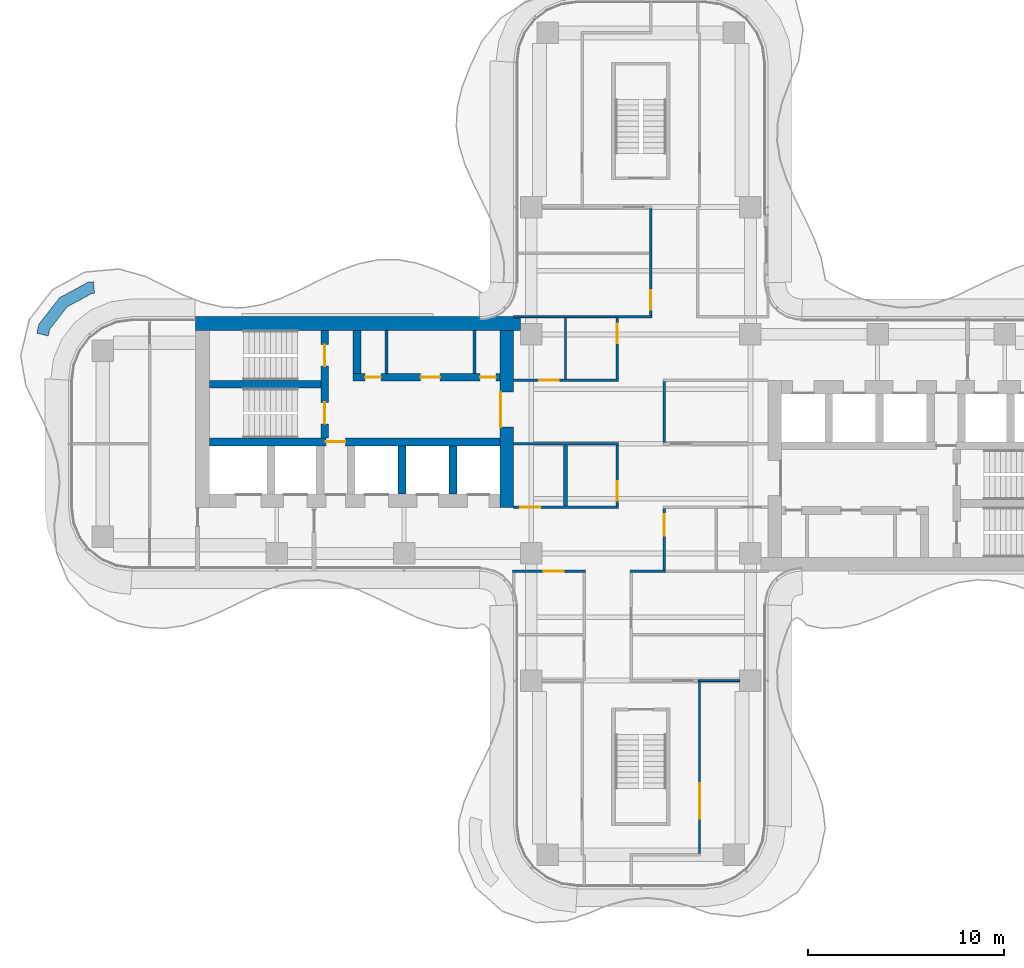
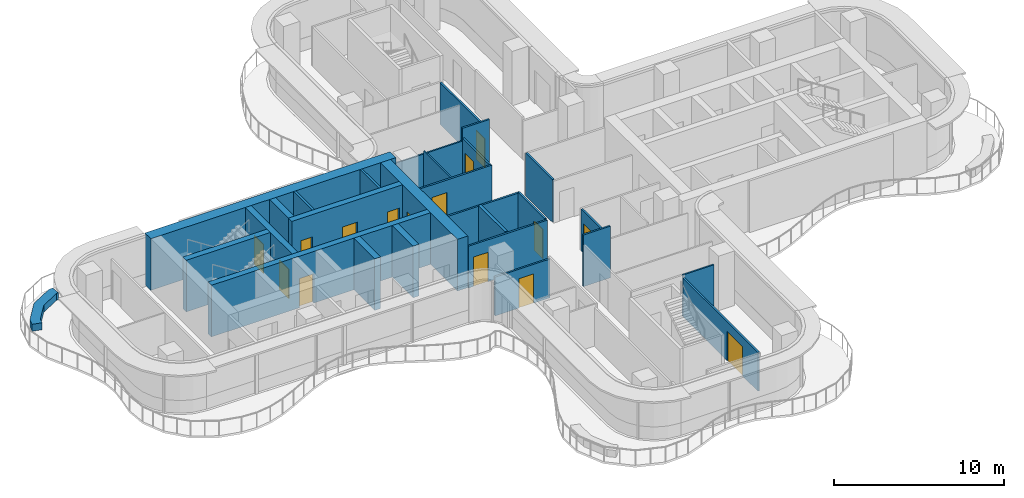
# One storey, part 12 of 16: 28 walls, 15 doors, 15 openings.
"""IFC4 building model written with IfcOpenShell, lengths in metres."""

from ifc_helpers import new_model, si_unit, direction, frame, frame_2d, origin, place, context, subcontext, project, spatial, polyline, rectangle, outline, extrude, source, transform, mapped, material, layer, layer_set, type_object, element, fill, save


model = new_model("IFC4")

# Units and contexts
model_context = context("Model", 3, precision=1e-05, world=origin(), true_north=direction((0.0, 1.0)))
body_context = subcontext(model_context, "Body", "Model", "MODEL_VIEW")
ifc_project = project(units=[si_unit("LENGTHUNIT", "METRE"), si_unit("AREAUNIT", "SQUARE_METRE"), si_unit("VOLUMEUNIT", "CUBIC_METRE"), si_unit("PLANEANGLEUNIT", "RADIAN"), si_unit("MASSUNIT", "GRAM", prefix="KILO")], contexts=[model_context])

# Site, building, storey
site_placement = place(None, origin())
site = spatial("IfcSite", under=ifc_project, at=site_placement, CompositionType="ELEMENT")
building_placement = place(site_placement, origin())
building = spatial("IfcBuilding", under=site, at=building_placement, Name="Trellis Farm Tower", CompositionType="ELEMENT")
storey_placement = place(building_placement, frame((0.0, 0.0, 263.60009765625)))
storey = spatial("IfcBuildingStorey", under=building, at=storey_placement, Name="L59", CompositionType="ELEMENT", Elevation=263.60009765625)

# Wall
ifc_material_1 = material(Name="Sandstone faced masonry planter", Category="masonry")
ifc_layer_1 = layer(ifc_material_1, 0.60009765625)
ifc_layer_set_1 = layer_set([ifc_layer_1], Name="PLANTER BED 600")
wall_type_1 = type_object("IfcWallType", Name="PLANTER BED 600", PredefinedType="USERDEFINED", material=ifc_layer_set_1)
wall_1_placement = place(storey_placement, origin())
element("IfcWall", 1, at=wall_1_placement, inside=storey, type_object=wall_type_1, Name="PLANTER bed", ObjectType="PLANTER", PredefinedType="USERDEFINED", context=body_context, shape_type="SweptSolid", body=[
    extrude(outline(polyline([(-30.7529296875, 6.1328125), (-29.701416015625, 7.475341796875), (-28.238525390625, 8.263427734375), (-27.97216796875, 8.287109375), (-27.9189453125, 7.689697265625), (-28.0625, 7.6767578125), (-29.306396484375, 7.006591796875), (-30.200439453125, 5.864990234375), (-30.2861328125, 5.5126953125), (-30.869140625, 5.654296875), (-30.7529296875, 6.1328125)])), origin(), (0.0, 0.0, 1.0), 0.5),
])

# Wall, opening, door
ifc_material_2 = material(Name="Concrete C60/75", Category="concrete")
ifc_layer_2 = layer(ifc_material_2, 0.699951171875)
ifc_layer_set_2 = layer_set([ifc_layer_2], Name="CORE OUTER WALL 700 CONCRETE C60/75")
wall_type_2 = type_object("IfcWallType", Name="CORE OUTER WALL 700 CONCRETE C60/75", PredefinedType="SHEAR", material=ifc_layer_set_2)
shared_shape_1 = source(origin(), body_context, "Body", "SweptSolid", [
    extrude(rectangle(XDim=9.050048828125, YDim=0.699951171875, at=frame_2d((4.52490234375, 0.0))), origin(), (0.0, 0.0, 1.0), 3.699951171875),
])
wall_2_placement = place(storey_placement, frame((-6.85009765625, 5.800048828125, 0.0), z_axis=(0.0, 0.0, 1.0), x_axis=(0.0, -1.0, 0.0)))
wall_2 = element("IfcWall", 2, at=wall_2_placement, inside=storey, type_object=wall_type_2, Name="Core wall", PredefinedType="SHEAR", context=body_context, shape_type="MappedRepresentation", body=[
    mapped(shared_shape_1, transform((0.0, 0.0, 0.0))),
])
shared_shape_2 = source(origin(), body_context, "Body", "SweptSolid", [
    extrude(rectangle(XDim=1.800048828125, YDim=2.10009765625, at=frame_2d((0.89990234375, 1.050048828125))), frame((0.0, 0.360107421875, 0.0), z_axis=(0.0, -1.0, 0.0), x_axis=(1.0, 0.0, 0.0)), (0.0, 0.0, 1.0), 0.72021484375),
])
opening_1_placement = place(wall_2_placement, frame((3.14990234375, 0.0, 0.0)))
opening_1 = element("IfcOpeningElement", 3, at=opening_1_placement, cuts=wall_2, Name="Opening DC87", PredefinedType="OPENING", context=body_context, shape_type="MappedRepresentation", body=[
    mapped(shared_shape_2, transform((0.0, 0.0, 0.0))),
])
ifc_material_3 = material(Name="Steel", Category="steel")
door_type_1 = type_object("IfcDoorType", Name="CORE FIRE DOOR DOUBLE 1800 X 2100", OperationType="DOUBLE_DOOR_SINGLE_SWING", PredefinedType="DOOR", material=ifc_material_3)
shared_shape_3 = source(origin(), body_context, "Body", "SweptSolid", [
    extrude(rectangle(XDim=1.800048828125, YDim=2.10009765625, at=frame_2d((0.89990234375, 1.050048828125))), frame((0.0, -0.27490234375, 0.0), z_axis=(0.0, -1.0, 0.0), x_axis=(1.0, 0.0, 0.0)), (0.0, 0.0, 1.0), 0.050048828125),
])
door_1_placement = place(opening_1_placement, origin())
door_1 = element("IfcDoor", 4, at=door_1_placement, inside=storey, type_object=door_type_1, Name="Core door", OperationType="DOUBLE_DOOR_SINGLE_SWING", OverallHeight=2.10009765625, OverallWidth=1.800048828125, PredefinedType="DOOR", context=body_context, shape_type="MappedRepresentation", body=[
    mapped(shared_shape_3, transform((0.0, 0.0, 0.0))),
])
fill(opening_1, door_1)

# Walls
ifc_layer_3 = layer(ifc_material_2, 0.39990234375)
ifc_layer_set_3 = layer_set([ifc_layer_3], Name="CORE INNER WALL 400 CONCRETE C60/75")
wall_type_3 = type_object("IfcWallType", Name="CORE INNER WALL 400 CONCRETE C60/75", PredefinedType="SHEAR", material=ifc_layer_set_3)
shared_shape_4 = source(origin(), body_context, "Body", "SweptSolid", [
    extrude(rectangle(XDim=2.449951171875, YDim=0.39990234375, at=frame_2d((1.22509765625, 0.0))), origin(), (0.0, 0.0, 1.0), 3.699951171875),
])
for number, where, z_axis, x_axis, name in (
    (5, (-9.60009765625, -0.10009765625, 0.0), (0.0, 0.0, 1.0), (0.0, -1.0, 0.0), "Core wall"),
    (6, (-12.199951171875, -0.10009765625, 0.0), (0.0, 0.0, 1.0), (0.0, -1.0, 0.0), "Core wall"),
):
    element("IfcWall", number, at=place(storey_placement, frame(where, z_axis=z_axis, x_axis=x_axis)), inside=storey, type_object=wall_type_3, Name=name, PredefinedType="SHEAR", context=body_context, shape_type="MappedRepresentation", body=[
        mapped(shared_shape_4, transform((0.0, 0.0, 0.0))),
    ])

# Wall, openings, doors
shared_shape_5 = source(origin(), body_context, "Body", "SweptSolid", [
    extrude(rectangle(XDim=7.5, YDim=0.39990234375, at=frame_2d((3.75, 0.0))), origin(), (0.0, 0.0, 1.0), 3.699951171875),
])
wall_3_placement = place(storey_placement, frame((-7.199951171875, 3.39990234375, 0.0), z_axis=(0.0, 0.0, 1.0), x_axis=(-1.0, 0.0, 0.0)))
wall_3 = element("IfcWall", 7, at=wall_3_placement, inside=storey, type_object=wall_type_3, Name="Core wall", PredefinedType="SHEAR", context=body_context, shape_type="MappedRepresentation", body=[
    mapped(shared_shape_5, transform((0.0, 0.0, 0.0))),
])
shared_shape_6 = source(origin(), body_context, "Body", "SweptSolid", [
    extrude(rectangle(XDim=0.800048828125, YDim=2.10009765625, at=frame_2d((0.39990234375, 1.050048828125))), frame((0.0, 0.2099609375, 0.0), z_axis=(0.0, -1.0, 0.0), x_axis=(1.0, 0.0, 0.0)), (0.0, 0.0, 1.0), 0.419921875),
])
opening_2_placement = place(wall_3_placement, frame((0.21240234375, 0.0, 0.0)))
opening_2 = element("IfcOpeningElement", 8, at=opening_2_placement, cuts=wall_3, Name="Opening DC137", PredefinedType="OPENING", context=body_context, shape_type="MappedRepresentation", body=[
    mapped(shared_shape_6, transform((0.0, 0.0, 0.0))),
])
shared_shape_7 = source(origin(), body_context, "Body", "SweptSolid", [
    extrude(rectangle(XDim=1.0, YDim=2.10009765625, at=frame_2d((0.5, 1.050048828125))), frame((0.0, 0.2099609375, 0.0), z_axis=(0.0, -1.0, 0.0), x_axis=(1.0, 0.0, 0.0)), (0.0, 0.0, 1.0), 0.419921875),
])
opening_3_placement = place(wall_3_placement, frame((3.050048828125, 0.0, 0.0)))
opening_3 = element("IfcOpeningElement", 9, at=opening_3_placement, cuts=wall_3, Name="Opening DC148", PredefinedType="OPENING", context=body_context, shape_type="MappedRepresentation", body=[
    mapped(shared_shape_7, transform((0.0, 0.0, 0.0))),
])
opening_4_placement = place(wall_3_placement, frame((6.08740234375, 0.0, 0.0)))
opening_4 = element("IfcOpeningElement", 10, at=opening_4_placement, cuts=wall_3, Name="Opening DC149", PredefinedType="OPENING", context=body_context, shape_type="MappedRepresentation", body=[
    mapped(shared_shape_6, transform((0.0, 0.0, 0.0))),
])
door_type_2 = type_object("IfcDoorType", Name="CORE FIRE DOOR 1000 X 2100", OperationType="NOTDEFINED", PredefinedType="DOOR", material=ifc_material_3)
shared_shape_8 = source(origin(), body_context, "Body", "SweptSolid", [
    extrude(rectangle(XDim=1.0, YDim=2.10009765625, at=frame_2d((0.5, 1.050048828125))), frame((0.0, 0.02490234375, 0.0), z_axis=(0.0, -1.0, 0.0), x_axis=(1.0, 0.0, 0.0)), (0.0, 0.0, 1.0), 0.050048828125),
])
door_2_placement = place(opening_3_placement, origin())
door_2 = element("IfcDoor", 11, at=door_2_placement, inside=storey, type_object=door_type_2, Name="Core door", OperationType="SINGLE_SWING_RIGHT", OverallHeight=2.10009765625, OverallWidth=1.0, PredefinedType="DOOR", context=body_context, shape_type="MappedRepresentation", body=[
    mapped(shared_shape_8, transform((0.0, 0.0, 0.0))),
])
fill(opening_3, door_2)
door_type_3 = type_object("IfcDoorType", Name="CORE FIRE DOOR 800 X 2100", OperationType="NOTDEFINED", PredefinedType="DOOR", material=ifc_material_3)
shared_shape_9 = source(origin(), body_context, "Body", "SweptSolid", [
    extrude(rectangle(XDim=0.800048828125, YDim=2.10009765625, at=frame_2d((0.39990234375, 1.050048828125))), frame((0.0, 0.02490234375, 0.0), z_axis=(0.0, -1.0, 0.0), x_axis=(1.0, 0.0, 0.0)), (0.0, 0.0, 1.0), 0.050048828125),
])
door_3_placement = place(opening_2_placement, origin())
door_3 = element("IfcDoor", 12, at=door_3_placement, inside=storey, type_object=door_type_3, Name="Core door", OperationType="SINGLE_SWING_LEFT", OverallHeight=2.10009765625, OverallWidth=0.800048828125, PredefinedType="DOOR", context=body_context, shape_type="MappedRepresentation", body=[
    mapped(shared_shape_9, transform((0.0, 0.0, 0.0))),
])
fill(opening_2, door_3)
door_4_placement = place(opening_4_placement, origin())
door_4 = element("IfcDoor", 13, at=door_4_placement, inside=storey, type_object=door_type_3, Name="Core door", OperationType="SINGLE_SWING_LEFT", OverallHeight=2.10009765625, OverallWidth=0.800048828125, PredefinedType="DOOR", context=body_context, shape_type="MappedRepresentation", body=[
    mapped(shared_shape_9, transform((0.0, 0.0, 0.0))),
])
fill(opening_4, door_4)

# Wall, opening, door
shared_shape_10 = source(origin(), body_context, "Body", "SweptSolid", [
    extrude(rectangle(XDim=14.85009765625, YDim=0.39990234375, at=frame_2d((7.425048828125, 0.0))), origin(), (0.0, 0.0, 1.0), 3.699951171875),
])
wall_4_placement = place(storey_placement, frame((-7.199951171875, 0.10009765625, 0.0), z_axis=(0.0, 0.0, 1.0), x_axis=(-1.0, 0.0, 0.0)))
wall_4 = element("IfcWall", 14, at=wall_4_placement, inside=storey, type_object=wall_type_3, Name="Core wall", PredefinedType="SHEAR", context=body_context, shape_type="MappedRepresentation", body=[
    mapped(shared_shape_10, transform((0.0, 0.0, 0.0))),
])
opening_5_placement = place(wall_4_placement, frame((7.89990234375, 0.0, 0.0)))
opening_5 = element("IfcOpeningElement", 15, at=opening_5_placement, cuts=wall_4, Name="Opening DC91", PredefinedType="OPENING", context=body_context, shape_type="MappedRepresentation", body=[
    mapped(shared_shape_7, transform((0.0, 0.0, 0.0))),
])
door_5_placement = place(opening_5_placement, origin())
door_5 = element("IfcDoor", 16, at=door_5_placement, inside=storey, type_object=door_type_2, Name="Core door", OperationType="SINGLE_SWING_RIGHT", OverallHeight=2.10009765625, OverallWidth=1.0, PredefinedType="DOOR", context=body_context, shape_type="MappedRepresentation", body=[
    mapped(shared_shape_8, transform((0.0, 0.0, 0.0))),
])
fill(opening_5, door_5)

# Wall, openings, doors
shared_shape_11 = source(origin(), body_context, "Body", "SweptSolid", [
    extrude(rectangle(XDim=5.5, YDim=0.39990234375, at=frame_2d((2.75, 0.0))), origin(), (0.0, 0.0, 1.0), 3.699951171875),
])
wall_5_placement = place(storey_placement, frame((-16.14990234375, 5.800048828125, 0.0), z_axis=(0.0, 0.0, 1.0), x_axis=(0.0, -1.0, 0.0)))
wall_5 = element("IfcWall", 17, at=wall_5_placement, inside=storey, type_object=wall_type_3, Name="Core wall", PredefinedType="SHEAR", context=body_context, shape_type="MappedRepresentation", body=[
    mapped(shared_shape_11, transform((0.0, 0.0, 0.0))),
])
shared_shape_12 = source(origin(), body_context, "Body", "SweptSolid", [
    extrude(rectangle(XDim=1.10009765625, YDim=2.10009765625, at=frame_2d((0.550048828125, 1.050048828125))), frame((0.0, 0.2099609375, 0.0), z_axis=(0.0, -1.0, 0.0), x_axis=(1.0, 0.0, 0.0)), (0.0, 0.0, 1.0), 0.419921875),
])
opening_6_placement = place(wall_5_placement, frame((0.72509765625, 0.0, 0.0)))
opening_6 = element("IfcOpeningElement", 18, at=opening_6_placement, cuts=wall_5, Name="Opening DC88", PredefinedType="OPENING", context=body_context, shape_type="MappedRepresentation", body=[
    mapped(shared_shape_12, transform((0.0, 0.0, 0.0))),
])
opening_7_placement = place(wall_5_placement, frame((3.675048828125, 0.0, 0.0)))
opening_7 = element("IfcOpeningElement", 19, at=opening_7_placement, cuts=wall_5, Name="Opening DC89", PredefinedType="OPENING", context=body_context, shape_type="MappedRepresentation", body=[
    mapped(shared_shape_12, transform((0.0, 0.0, 0.0))),
])
door_type_4 = type_object("IfcDoorType", Name="CORE FIRE DOOR 1100 X 2100", OperationType="NOTDEFINED", PredefinedType="DOOR", material=ifc_material_3)
shared_shape_13 = source(origin(), body_context, "Body", "SweptSolid", [
    extrude(rectangle(XDim=1.10009765625, YDim=2.10009765625, at=frame_2d((0.550048828125, 1.050048828125))), frame((0.0, 0.02490234375, 0.0), z_axis=(0.0, -1.0, 0.0), x_axis=(1.0, 0.0, 0.0)), (0.0, 0.0, 1.0), 0.050048828125),
])
door_6_placement = place(opening_6_placement, origin())
door_6 = element("IfcDoor", 20, at=door_6_placement, inside=storey, type_object=door_type_4, Name="Core door", OperationType="SINGLE_SWING_RIGHT", OverallHeight=2.10009765625, OverallWidth=1.10009765625, PredefinedType="DOOR", context=body_context, shape_type="MappedRepresentation", body=[
    mapped(shared_shape_13, transform((0.0, 0.0, 0.0))),
])
fill(opening_6, door_6)
door_7_placement = place(opening_7_placement, origin())
door_7 = element("IfcDoor", 21, at=door_7_placement, inside=storey, type_object=door_type_4, Name="Core door", OperationType="SINGLE_SWING_LEFT", OverallHeight=2.10009765625, OverallWidth=1.10009765625, PredefinedType="DOOR", context=body_context, shape_type="MappedRepresentation", body=[
    mapped(shared_shape_13, transform((0.0, 0.0, 0.0))),
])
fill(opening_7, door_7)

# Walls
shared_shape_14 = source(origin(), body_context, "Body", "SweptSolid", [
    extrude(rectangle(XDim=5.699951171875, YDim=0.39990234375, at=frame_2d((2.85009765625, 0.0))), origin(), (0.0, 0.0, 1.0), 3.699951171875),
])
wall_6_placement = place(storey_placement, frame((-16.35009765625, 3.050048828125, 0.0), z_axis=(0.0, 0.0, 1.0), x_axis=(-1.0, 0.0, 0.0)))
element("IfcWall", 22, at=wall_6_placement, inside=storey, type_object=wall_type_3, Name="Core wall", PredefinedType="SHEAR", context=body_context, shape_type="MappedRepresentation", body=[
    mapped(shared_shape_14, transform((0.0, 0.0, 0.0))),
])
shared_shape_15 = source(origin(), body_context, "Body", "SweptSolid", [
    extrude(rectangle(XDim=2.199951171875, YDim=0.39990234375, at=frame_2d((1.10009765625, 0.0))), origin(), (0.0, 0.0, 1.0), 3.699951171875),
])
wall_7_placement = place(storey_placement, frame((-14.5, 5.800048828125, 0.0), z_axis=(0.0, 0.0, 1.0), x_axis=(0.0, -1.0, 0.0)))
element("IfcWall", 23, at=wall_7_placement, inside=storey, type_object=wall_type_3, Name="Core wall", PredefinedType="SHEAR", context=body_context, shape_type="MappedRepresentation", body=[
    mapped(shared_shape_15, transform((0.0, 0.0, 0.0))),
])
ifc_material_4 = material(Name="Masonry blockwork", Category="masonry")
ifc_layer_4 = layer(ifc_material_4, 0.14990234375)
ifc_layer_set_4 = layer_set([ifc_layer_4], Name="CORE PARTITION 150 BLOCKWORK")
wall_type_4 = type_object("IfcWallType", Name="CORE PARTITION 150 BLOCKWORK", PredefinedType="PARTITIONING", material=ifc_layer_set_4)
shared_shape_16 = source(origin(), body_context, "Body", "SweptSolid", [
    extrude(rectangle(XDim=2.199951171875, YDim=0.14990234375, at=frame_2d((1.10009765625, 0.0))), origin(), (0.0, 0.0, 1.0), 3.699951171875),
])
for number, where, z_axis, x_axis, name in (
    (24, (-8.5, 5.800048828125, 0.0), (0.0, 0.0, 1.0), (0.0, -1.0, 0.0), "Core room partition"),
    (25, (-13.0, 5.800048828125, 0.0), (0.0, 0.0, 1.0), (0.0, -1.0, 0.0), "Core room partition"),
):
    element("IfcWall", number, at=place(storey_placement, frame(where, z_axis=z_axis, x_axis=x_axis)), inside=storey, type_object=wall_type_4, Name=name, PredefinedType="PARTITIONING", context=body_context, shape_type="MappedRepresentation", body=[
        mapped(shared_shape_16, transform((0.0, 0.0, 0.0))),
    ])
shared_shape_17 = source(origin(), body_context, "Body", "SweptSolid", [
    extrude(rectangle(XDim=16.60009765625, YDim=0.699951171875, at=frame_2d((8.300048828125, 0.0))), origin(), (0.0, 0.0, 1.0), 3.699951171875),
])
wall_8_placement = place(storey_placement, frame((-6.14990234375, 6.14990234375, 0.0), z_axis=(0.0, 0.0, 1.0), x_axis=(-1.0, 0.0, 0.0)))
element("IfcWall", 26, at=wall_8_placement, inside=storey, type_object=wall_type_2, Name="Core wall", PredefinedType="SHEAR", context=body_context, shape_type="MappedRepresentation", body=[
    mapped(shared_shape_17, transform((0.0, 0.0, 0.0))),
])

# Wall, opening, door
ifc_material_5 = material(Name="Plasterboard on steel studs, mineral wool", Category="steel")
ifc_layer_5 = layer(ifc_material_5, 0.125)
ifc_layer_set_5 = layer_set([ifc_layer_5], Name="PARTITION 125 STUD EI 60")
wall_type_5 = type_object("IfcWallType", Name="PARTITION 125 STUD EI 60", PredefinedType="PARTITIONING", material=ifc_layer_set_5)
shared_shape_18 = source(origin(), body_context, "Body", "SweptSolid", [
    extrude(rectangle(XDim=5.47509765625, YDim=0.125, at=frame_2d((2.737548828125, 0.0))), origin(), (0.0, 0.0, 1.0), 2.99658203125),
])
wall_9_placement = place(storey_placement, frame((0.5, 12.03759765625, 0.0), z_axis=(0.0, 0.0, 1.0), x_axis=(0.0, -1.0, 0.0)))
wall_9 = element("IfcWall", 27, at=wall_9_placement, inside=storey, type_object=wall_type_5, Name="Partition PW1", PredefinedType="PARTITIONING", context=body_context, shape_type="MappedRepresentation", body=[
    mapped(shared_shape_18, transform((0.0, 0.0, 0.0))),
])
shared_shape_19 = source(origin(), body_context, "Body", "SweptSolid", [
    extrude(rectangle(XDim=1.0, YDim=2.10009765625, at=frame_2d((0.5, 1.050048828125))), frame((0.0, 0.072509765625, 0.0), z_axis=(0.0, -1.0, 0.0), x_axis=(1.0, 0.0, 0.0)), (0.0, 0.0, 1.0), 0.14501953125),
])
opening_8_placement = place(wall_9_placement, frame((4.1875, 0.0, 0.0)))
opening_8 = element("IfcOpeningElement", 28, at=opening_8_placement, cuts=wall_9, Name="Opening D113", PredefinedType="OPENING", context=body_context, shape_type="MappedRepresentation", body=[
    mapped(shared_shape_19, transform((0.0, 0.0, 0.0))),
])
ifc_material_6 = material(Name="Fire-rated timber door leaf in a hollow metal frame", Category="wood")
door_type_5 = type_object("IfcDoorType", Name="DOOR 1000x2100 FD30S", OperationType="NOTDEFINED", PredefinedType="DOOR", material=ifc_material_6)
door_8_placement = place(opening_8_placement, origin())
door_8 = element("IfcDoor", 29, at=door_8_placement, inside=storey, type_object=door_type_5, Name="Door D113", OperationType="SINGLE_SWING_RIGHT", OverallHeight=2.10009765625, OverallWidth=1.0, PredefinedType="DOOR", context=body_context, shape_type="MappedRepresentation", body=[
    mapped(shared_shape_8, transform((0.0, 0.0, 0.0))),
])
fill(opening_8, door_8)

shared_shape_20 = source(origin(), body_context, "Body", "SweptSolid", [
    extrude(rectangle(XDim=3.137451171875, YDim=0.125, at=frame_2d((1.56884765625, 0.0))), origin(), (0.0, 0.0, 1.0), 2.99658203125),
])
wall_10_placement = place(storey_placement, frame((-1.199951171875, 6.449951171875, 0.0), z_axis=(0.0, 0.0, 1.0), x_axis=(0.0, -1.0, 0.0)))
wall_10 = element("IfcWall", 30, at=wall_10_placement, inside=storey, type_object=wall_type_5, Name="Partition PW1", PredefinedType="PARTITIONING", context=body_context, shape_type="MappedRepresentation", body=[
    mapped(shared_shape_20, transform((0.0, 0.0, 0.0))),
])
opening_9_placement = place(wall_10_placement, frame((0.300048828125, 0.0, 0.0)))
opening_9 = element("IfcOpeningElement", 31, at=opening_9_placement, cuts=wall_10, Name="Opening D112", PredefinedType="OPENING", context=body_context, shape_type="MappedRepresentation", body=[
    mapped(shared_shape_19, transform((0.0, 0.0, 0.0))),
])
door_9_placement = place(opening_9_placement, origin())
door_9 = element("IfcDoor", 32, at=door_9_placement, inside=storey, type_object=door_type_5, Name="Door D112", OperationType="SINGLE_SWING_LEFT", OverallHeight=2.10009765625, OverallWidth=1.0, PredefinedType="DOOR", context=body_context, shape_type="MappedRepresentation", body=[
    mapped(shared_shape_8, transform((0.0, 0.0, 0.0))),
])
fill(opening_9, door_9)

wall_11_placement = place(storey_placement, frame((1.199951171875, -3.3125, 0.0), z_axis=(0.0, 0.0, 1.0), x_axis=(0.0, -1.0, 0.0)))
wall_11 = element("IfcWall", 33, at=wall_11_placement, inside=storey, type_object=wall_type_5, Name="Partition PW1", PredefinedType="PARTITIONING", context=body_context, shape_type="MappedRepresentation", body=[
    mapped(shared_shape_20, transform((0.0, 0.0, 0.0))),
])
shared_shape_21 = source(origin(), body_context, "Body", "SweptSolid", [
    extrude(rectangle(XDim=1.10009765625, YDim=2.10009765625, at=frame_2d((0.550048828125, 1.050048828125))), frame((0.0, 0.072509765625, 0.0), z_axis=(0.0, -1.0, 0.0), x_axis=(1.0, 0.0, 0.0)), (0.0, 0.0, 1.0), 0.14501953125),
])
opening_10_placement = place(wall_11_placement, frame((0.28759765625, 0.0, 0.0)))
opening_10 = element("IfcOpeningElement", 34, at=opening_10_placement, cuts=wall_11, Name="Opening D501", PredefinedType="OPENING", context=body_context, shape_type="MappedRepresentation", body=[
    mapped(shared_shape_21, transform((0.0, 0.0, 0.0))),
])
door_type_6 = type_object("IfcDoorType", Name="DOOR 1100x2100 FD30S", OperationType="NOTDEFINED", PredefinedType="DOOR", material=ifc_material_6)
door_10_placement = place(opening_10_placement, origin())
door_10 = element("IfcDoor", 35, at=door_10_placement, inside=storey, type_object=door_type_6, Name="Door D501", OperationType="SINGLE_SWING_LEFT", OverallHeight=2.10009765625, OverallWidth=1.10009765625, PredefinedType="DOOR", context=body_context, shape_type="MappedRepresentation", body=[
    mapped(shared_shape_13, transform((0.0, 0.0, 0.0))),
])
fill(opening_10, door_10)

shared_shape_22 = source(origin(), body_context, "Body", "SweptSolid", [
    extrude(rectangle(XDim=5.362548828125, YDim=0.125, at=frame_2d((2.68115234375, 0.0))), origin(), (0.0, 0.0, 1.0), 2.99658203125),
])
wall_12_placement = place(storey_placement, frame((-1.137451171875, -3.25, 0.0), z_axis=(0.0, 0.0, 1.0), x_axis=(-1.0, 0.0, 0.0)))
wall_12 = element("IfcWall", 36, at=wall_12_placement, inside=storey, type_object=wall_type_5, Name="Partition PW1", PredefinedType="PARTITIONING", context=body_context, shape_type="MappedRepresentation", body=[
    mapped(shared_shape_22, transform((0.0, 0.0, 0.0))),
])
opening_11_placement = place(wall_12_placement, frame((4.012451171875, 0.0, 0.0)))
opening_11 = element("IfcOpeningElement", 37, at=opening_11_placement, cuts=wall_12, Name="Opening D106", PredefinedType="OPENING", context=body_context, shape_type="MappedRepresentation", body=[
    mapped(shared_shape_19, transform((0.0, 0.0, 0.0))),
])
door_11_placement = place(opening_11_placement, origin())
door_11 = element("IfcDoor", 38, at=door_11_placement, inside=storey, type_object=door_type_5, Name="Door D106", OperationType="SINGLE_SWING_RIGHT", OverallHeight=2.10009765625, OverallWidth=1.0, PredefinedType="DOOR", context=body_context, shape_type="MappedRepresentation", body=[
    mapped(shared_shape_8, transform((0.0, 0.0, 0.0))),
])
fill(opening_11, door_11)

# Wall
wall_13_placement = place(storey_placement, frame((-1.137451171875, 0.0, 0.0), z_axis=(0.0, 0.0, 1.0), x_axis=(-1.0, 0.0, 0.0)))
element("IfcWall", 39, at=wall_13_placement, inside=storey, type_object=wall_type_5, Name="Partition PW1", PredefinedType="PARTITIONING", context=body_context, shape_type="MappedRepresentation", body=[
    mapped(shared_shape_22, transform((0.0, 0.0, 0.0))),
])

# Wall, opening, door
wall_14_placement = place(storey_placement, frame((-6.5, 3.25, 0.0), z_axis=(0.0, 0.0, 1.0), x_axis=(1.0, 0.0, 0.0)))
wall_14 = element("IfcWall", 40, at=wall_14_placement, inside=storey, type_object=wall_type_5, Name="Partition PW1", PredefinedType="PARTITIONING", context=body_context, shape_type="MappedRepresentation", body=[
    mapped(shared_shape_22, transform((0.0, 0.0, 0.0))),
])
opening_12_placement = place(wall_14_placement, frame((1.300048828125, 0.0, 0.0)))
opening_12 = element("IfcOpeningElement", 41, at=opening_12_placement, cuts=wall_14, Name="Opening D110", PredefinedType="OPENING", context=body_context, shape_type="MappedRepresentation", body=[
    mapped(shared_shape_19, transform((0.0, 0.0, 0.0))),
])
door_12_placement = place(opening_12_placement, origin())
door_12 = element("IfcDoor", 42, at=door_12_placement, inside=storey, type_object=door_type_5, Name="Door D110", OperationType="SINGLE_SWING_RIGHT", OverallHeight=2.10009765625, OverallWidth=1.0, PredefinedType="DOOR", context=body_context, shape_type="MappedRepresentation", body=[
    mapped(shared_shape_8, transform((0.0, 0.0, 0.0))),
])
fill(opening_12, door_12)

# Walls
shared_shape_23 = source(origin(), body_context, "Body", "SweptSolid", [
    extrude(rectangle(XDim=1.824951171875, YDim=0.125, at=frame_2d((0.91259765625, 0.0))), origin(), (0.0, 0.0, 1.0), 3.699951171875),
])
for number, where, z_axis, x_axis, name in (
    (43, (1.262451171875, -6.5, 0.0), (0.0, 0.0, 1.0), (-1.0, 0.0, 0.0), "Partition PW1"),
    (44, (-1.262451171875, 6.5, 0.0), (0.0, 0.0, 1.0), (1.0, 0.0, 0.0), "Partition PW1"),
):
    element("IfcWall", number, at=place(storey_placement, frame(where, z_axis=z_axis, x_axis=x_axis)), inside=storey, type_object=wall_type_5, Name=name, PredefinedType="PARTITIONING", context=body_context, shape_type="MappedRepresentation", body=[
        mapped(shared_shape_23, transform((0.0, 0.0, 0.0))),
    ])

# Wall, opening, door
shared_shape_24 = source(origin(), body_context, "Body", "SweptSolid", [
    extrude(rectangle(XDim=3.125, YDim=0.125, at=frame_2d((1.5625, 0.0))), origin(), (0.0, 0.0, 1.0), 3.067626953125),
])
wall_15_placement = place(storey_placement, frame((-1.199951171875, -0.0625, 0.0), z_axis=(0.0, 0.0, 1.0), x_axis=(0.0, -1.0, 0.0)))
wall_15 = element("IfcWall", 45, at=wall_15_placement, inside=storey, type_object=wall_type_5, Name="Partition PW1", PredefinedType="PARTITIONING", context=body_context, shape_type="MappedRepresentation", body=[
    mapped(shared_shape_24, transform((0.0, 0.0, 0.0))),
])
opening_13_placement = place(wall_15_placement, frame((1.83740234375, 0.0, 0.0)))
opening_13 = element("IfcOpeningElement", 46, at=opening_13_placement, cuts=wall_15, Name="Opening D301", PredefinedType="OPENING", context=body_context, shape_type="MappedRepresentation", body=[
    mapped(shared_shape_19, transform((0.0, 0.0, 0.0))),
])
door_type_7 = type_object("IfcDoorType", Name="DOOR 1000x2100 FD60", OperationType="NOTDEFINED", PredefinedType="DOOR", material=ifc_material_6)
door_13_placement = place(opening_13_placement, origin())
door_13 = element("IfcDoor", 47, at=door_13_placement, inside=storey, type_object=door_type_7, Name="Door D301", OperationType="SINGLE_SWING_RIGHT", OverallHeight=2.10009765625, OverallWidth=1.0, PredefinedType="DOOR", context=body_context, shape_type="MappedRepresentation", body=[
    mapped(shared_shape_8, transform((0.0, 0.0, 0.0))),
])
fill(opening_13, door_13)

# Walls
wall_16_placement = place(storey_placement, frame((1.199951171875, 3.1875, 0.0), z_axis=(0.0, 0.0, 1.0), x_axis=(0.0, -1.0, 0.0)))
element("IfcWall", 48, at=wall_16_placement, inside=storey, type_object=wall_type_5, Name="Partition PW1", PredefinedType="PARTITIONING", context=body_context, shape_type="MappedRepresentation", body=[
    mapped(shared_shape_24, transform((0.0, 0.0, 0.0))),
])
ifc_material_7 = material(Name="Plasterboard on steel studs", Category="steel")
ifc_layer_6 = layer(ifc_material_7, 0.10009765625)
ifc_layer_set_6 = layer_set([ifc_layer_6], Name="PARTITION 100 STUD EI 30")
wall_type_6 = type_object("IfcWallType", Name="PARTITION 100 STUD EI 30", PredefinedType="PARTITIONING", material=ifc_layer_set_6)
shared_shape_25 = source(origin(), body_context, "Body", "SweptSolid", [
    extrude(rectangle(XDim=3.137451171875, YDim=0.10009765625, at=frame_2d((1.56884765625, 0.0))), origin(), (0.0, 0.0, 1.0), 2.99658203125),
])
wall_17_placement = place(storey_placement, frame((-3.85009765625, 3.3125, 0.0), z_axis=(0.0, 0.0, 1.0), x_axis=(0.0, 1.0, 0.0)))
element("IfcWall", 49, at=wall_17_placement, inside=storey, type_object=wall_type_6, Name="Partition PW2", PredefinedType="PARTITIONING", context=body_context, shape_type="MappedRepresentation", body=[
    mapped(shared_shape_25, transform((0.0, 0.0, 0.0))),
])
shared_shape_26 = source(origin(), body_context, "Body", "SweptSolid", [
    extrude(rectangle(XDim=2.112548828125, YDim=0.10009765625, at=frame_2d((1.05615234375, 0.0))), origin(), (0.0, 0.0, 1.0), 2.99658203125),
])
wall_18_placement = place(storey_placement, frame((2.9375, -12.10009765625, 0.0), z_axis=(0.0, 0.0, 1.0), x_axis=(1.0, 0.0, 0.0)))
element("IfcWall", 50, at=wall_18_placement, inside=storey, type_object=wall_type_6, Name="Partition PW2", PredefinedType="PARTITIONING", context=body_context, shape_type="MappedRepresentation", body=[
    mapped(shared_shape_26, transform((0.0, 0.0, 0.0))),
])

# Wall, opening, door
shared_shape_27 = source(origin(), body_context, "Body", "SweptSolid", [
    extrude(rectangle(XDim=8.78759765625, YDim=0.125, at=frame_2d((4.393798828125, 0.0))), origin(), (0.0, 0.0, 1.0), 2.77978515625),
])
wall_19_placement = place(storey_placement, frame((3.0, -12.14990234375, 0.0), z_axis=(0.0, 0.0, 1.0), x_axis=(0.0, -1.0, 0.0)))
wall_19 = element("IfcWall", 51, at=wall_19_placement, inside=storey, type_object=wall_type_5, Name="Partition PW1", PredefinedType="PARTITIONING", context=body_context, shape_type="MappedRepresentation", body=[
    mapped(shared_shape_27, transform((0.0, 0.0, 0.0))),
])
shared_shape_28 = source(origin(), body_context, "Body", "SweptSolid", [
    extrude(rectangle(XDim=1.800048828125, YDim=2.10009765625, at=frame_2d((0.89990234375, 1.050048828125))), frame((0.0, 0.072509765625, 0.0), z_axis=(0.0, -1.0, 0.0), x_axis=(1.0, 0.0, 0.0)), (0.0, 0.0, 1.0), 0.14501953125),
])
opening_14_placement = place(wall_19_placement, frame((5.199951171875, 0.0, 0.0)))
opening_14 = element("IfcOpeningElement", 52, at=opening_14_placement, cuts=wall_19, Name="Opening D201", PredefinedType="OPENING", context=body_context, shape_type="MappedRepresentation", body=[
    mapped(shared_shape_28, transform((0.0, 0.0, 0.0))),
])
door_type_8 = type_object("IfcDoorType", Name="DOOR PAIR 1800x2100 FD30S", OperationType="NOTDEFINED", PredefinedType="DOOR", material=ifc_material_6)
shared_shape_29 = source(origin(), body_context, "Body", "SweptSolid", [
    extrude(rectangle(XDim=1.800048828125, YDim=2.10009765625, at=frame_2d((0.89990234375, 1.050048828125))), frame((0.0, 0.02490234375, 0.0), z_axis=(0.0, -1.0, 0.0), x_axis=(1.0, 0.0, 0.0)), (0.0, 0.0, 1.0), 0.050048828125),
])
door_14_placement = place(opening_14_placement, origin())
door_14 = element("IfcDoor", 53, at=door_14_placement, inside=storey, type_object=door_type_8, Name="Door D201", OperationType="DOUBLE_DOOR_SINGLE_SWING", OverallHeight=2.10009765625, OverallWidth=1.800048828125, PredefinedType="DOOR", context=body_context, shape_type="MappedRepresentation", body=[
    mapped(shared_shape_29, transform((0.0, 0.0, 0.0))),
])
fill(opening_14, door_14)

# Wall
shared_shape_30 = source(origin(), body_context, "Body", "SweptSolid", [
    extrude(rectangle(XDim=5.362548828125, YDim=0.10009765625, at=frame_2d((2.68115234375, 0.0))), origin(), (0.0, 0.0, 1.0), 2.77978515625),
])
wall_20_placement = place(storey_placement, frame((-6.5, 6.5, 0.0), z_axis=(0.0, 0.0, 1.0), x_axis=(1.0, 0.0, 0.0)))
element("IfcWall", 54, at=wall_20_placement, inside=storey, type_object=wall_type_6, Name="Partition PW2", PredefinedType="PARTITIONING", context=body_context, shape_type="MappedRepresentation", body=[
    mapped(shared_shape_30, transform((0.0, 0.0, 0.0))),
])

# Wall, opening, door
shared_shape_31 = source(origin(), body_context, "Body", "SweptSolid", [
    extrude(rectangle(XDim=3.72509765625, YDim=0.125, at=frame_2d((1.862548828125, 0.0))), origin(), (0.0, 0.0, 1.0), 2.77978515625),
])
wall_21_placement = place(storey_placement, frame((-2.83740234375, -6.5, 0.0), z_axis=(0.0, 0.0, 1.0), x_axis=(-1.0, 0.0, 0.0)))
wall_21 = element("IfcWall", 55, at=wall_21_placement, inside=storey, type_object=wall_type_5, Name="Partition PW1", PredefinedType="PARTITIONING", context=body_context, shape_type="MappedRepresentation", body=[
    mapped(shared_shape_31, transform((0.0, 0.0, 0.0))),
])
opening_15_placement = place(wall_21_placement, frame((1.112548828125, 0.0, 0.0)))
opening_15 = element("IfcOpeningElement", 56, at=opening_15_placement, cuts=wall_21, Name="Opening D105", PredefinedType="OPENING", context=body_context, shape_type="MappedRepresentation", body=[
    mapped(shared_shape_19, transform((0.0, 0.0, 0.0))),
])
door_15_placement = place(opening_15_placement, origin())
door_15 = element("IfcDoor", 57, at=door_15_placement, inside=storey, type_object=door_type_5, Name="Door D105", OperationType="SINGLE_SWING_RIGHT", OverallHeight=2.10009765625, OverallWidth=1.0, PredefinedType="DOOR", context=body_context, shape_type="MappedRepresentation", body=[
    mapped(shared_shape_8, transform((0.0, 0.0, 0.0))),
])
fill(opening_15, door_15)

# Wall
ifc_material_8 = material(Name="Lightweight blockwork, plastered", Category="masonry")
ifc_layer_7 = layer(ifc_material_8, 0.199951171875)
ifc_layer_set_7 = layer_set([ifc_layer_7], Name="BLOCK WALL 200 EI 120")
wall_type_7 = type_object("IfcWallType", Name="BLOCK WALL 200 EI 120", PredefinedType="PARTITIONING", material=ifc_layer_set_7)
shared_shape_32 = source(origin(), body_context, "Body", "SweptSolid", [
    extrude(rectangle(XDim=3.125, YDim=0.199951171875, at=frame_2d((1.5625, 0.0))), origin(), (0.0, 0.0, 1.0), 3.067626953125),
])
wall_22_placement = place(storey_placement, frame((-3.85009765625, -3.1875, 0.0), z_axis=(0.0, 0.0, 1.0), x_axis=(0.0, 1.0, 0.0)))
element("IfcWall", 58, at=wall_22_placement, inside=storey, type_object=wall_type_7, Name="Partition PW3", PredefinedType="PARTITIONING", context=body_context, shape_type="MappedRepresentation", body=[
    mapped(shared_shape_32, transform((0.0, 0.0, 0.0))),
])

save(model, "model.ifc")
